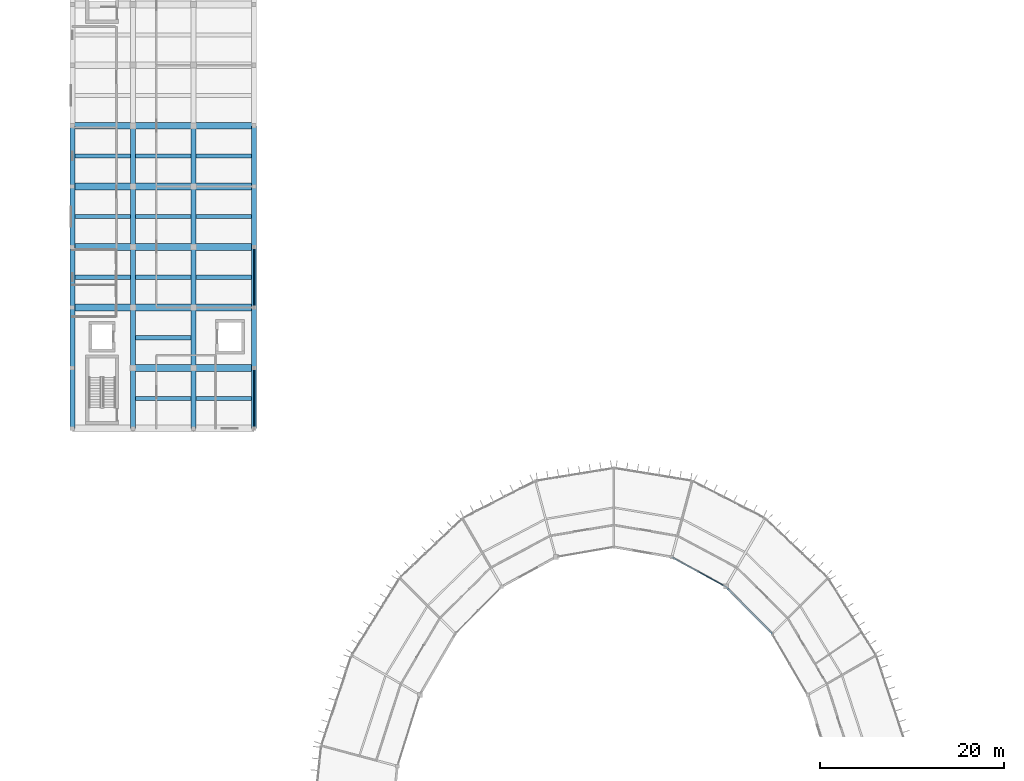
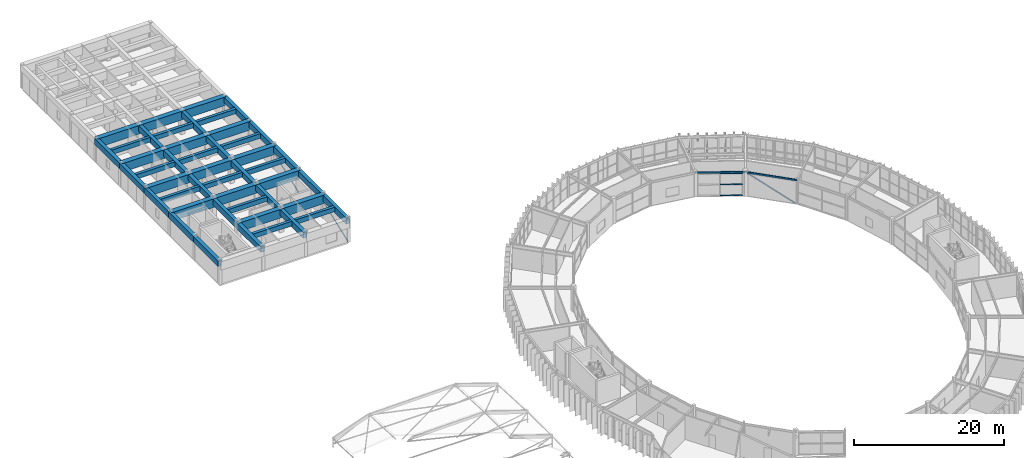
# One storey, part 74 of 134: 48 beams, 6 members, 1 element without a shape of its own.
"""IFC4 building model written with IfcOpenShell, lengths in metres."""

import ifcopenshell
import ifcopenshell.guid

model = None  # the IFC model being written
_history = None  # IfcOwnerHistory: only IFC2X3 demands one
_inside = {}  # id of a spatial element -> (the spatial element, [elements in it])
_under = {}  # id of a project, library or spatial element -> (it, [spatial elements below it])
_declared = {}  # id of a project -> (the project, [libraries it declares])
_typed = {}  # id of a type object -> (the type object, [elements of that type])
_made_of = {}  # id of a material, layer set ... -> (it, [elements and type objects made of it])


def new_model(schema):
    """Start an empty IFC model of exactly this schema.

    Asked for "IFC4X3", IfcOpenShell would pick the latest addendum, in which some entities
    have other attributes; the version numbers below select the first issue.
    IFC2X3 requires an IfcOwnerHistory on every rooted entity: one is made here for all.
    """
    global model, _history
    if schema == "IFC4X3":
        model = ifcopenshell.file(schema_version=(4, 3, 0, 0))
    else:
        model = ifcopenshell.file(schema=schema)
    _inside.clear()
    _under.clear()
    _declared.clear()
    _typed.clear()
    _made_of.clear()
    _history = None
    if model.schema == "IFC2X3":
        org = make("IfcOrganization", Name="unknown")
        user = make(
            "IfcPersonAndOrganization",
            ThePerson=make("IfcPerson", FamilyName="unknown"),
            TheOrganization=org,
        )
        app = make(
            "IfcApplication",
            ApplicationDeveloper=org,
            Version="unknown",
            ApplicationFullName="unknown",
            ApplicationIdentifier="unknown",
        )
        _history = make(
            "IfcOwnerHistory",
            OwningUser=user,
            OwningApplication=app,
            ChangeAction="ADDED",
            CreationDate=0,
        )
    return model


def make(cls, **values):
    """One entity of the class cls with the attributes given. An attribute that is None is left unset."""
    return model.create_entity(
        cls, **{name: value for name, value in values.items() if value is not None}
    )


def rooted(cls, **values):
    """An entity with a GlobalId (a new one), such as an element, a storey or a relation."""
    return make(cls, GlobalId=ifcopenshell.guid.new(), OwnerHistory=_history, **values)


def si_unit(unit_type, name, prefix=None):
    """IfcSIUnit, for example si_unit("LENGTHUNIT", "METRE", prefix="MILLI")."""
    return make("IfcSIUnit", UnitType=unit_type, Prefix=prefix, Name=name)


def assignment(units):
    """IfcUnitAssignment: the units of a project."""
    return None if units is None else make("IfcUnitAssignment", Units=units)


def point(xyz):
    """IfcCartesianPoint."""
    return None if xyz is None else make("IfcCartesianPoint", Coordinates=xyz)


def direction(xyz):
    """IfcDirection."""
    return None if xyz is None else make("IfcDirection", DirectionRatios=xyz)


def frame(location, z_axis=None, x_axis=None):
    """IfcAxis2Placement3D, a coordinate frame: its origin and axes. An axis left out is left unset."""
    return make(
        "IfcAxis2Placement3D",
        Location=point(location),
        Axis=direction(z_axis),
        RefDirection=direction(x_axis),
    )


def frame_2d(location, x_axis=None):
    """IfcAxis2Placement2D, a coordinate frame in the plane: its origin and x axis."""
    return make(
        "IfcAxis2Placement2D", Location=point(location), RefDirection=direction(x_axis)
    )


def origin():
    """The frame at (0, 0, 0) with its axes left unset."""
    return frame((0.0, 0.0, 0.0))


def origin_2d():
    """The frame at (0, 0) in the plane with its x axis left unset."""
    return frame_2d((0.0, 0.0))


def place(relative_to, where):
    """IfcLocalPlacement: puts the frame where relative to a parent placement (None: the world)."""
    return make(
        "IfcLocalPlacement", PlacementRelTo=relative_to, RelativePlacement=where
    )


def context(
    kind, dimensions, precision=None, world=None, true_north=None, identifier=None
):
    """IfcGeometricRepresentationContext, for example the 3D "Model" context."""
    return make(
        "IfcGeometricRepresentationContext",
        ContextIdentifier=identifier,
        ContextType=kind,
        CoordinateSpaceDimension=dimensions,
        Precision=precision,
        WorldCoordinateSystem=world,
        TrueNorth=true_north,
    )


def subcontext(parent, identifier, kind, view, scale=None):
    """IfcGeometricRepresentationSubContext, for example "Body" below "Model"."""
    return make(
        "IfcGeometricRepresentationSubContext",
        ContextIdentifier=identifier,
        ContextType=kind,
        ParentContext=parent,
        TargetScale=scale,
        TargetView=view,
    )


def project(units=None, contexts=None):
    """IfcProject with its units and contexts."""
    return rooted(
        "IfcProject",
        Name="project",
        RepresentationContexts=contexts,
        UnitsInContext=assignment(units),
    )


def spatial(cls, under=None, at=None, **own):
    """A site, building, storey or space (cls), placed at a placement, below another one or the project."""
    s = rooted(cls, ObjectPlacement=at, **own)
    if under is not None:
        _under.setdefault(under.id(), (under, []))[1].append(s)
    return s


def profile(cls, at=None, kind="AREA", **sizes):
    """A parametric profile (cls). Its sizes go by their IFC names, for example OverallWidth=200.0."""
    return make(cls, ProfileType=kind, Position=at, **sizes)


def rectangle(**sizes):
    """IfcRectangleProfileDef."""
    return profile("IfcRectangleProfileDef", **sizes)


def hollow_rectangle(**sizes):
    """IfcRectangleHollowProfileDef."""
    return profile("IfcRectangleHollowProfileDef", **sizes)


def hollow_circle(**sizes):
    """IfcCircleHollowProfileDef."""
    return profile("IfcCircleHollowProfileDef", **sizes)


def extrude(swept, where, along, depth):
    """IfcExtrudedAreaSolid: the profile swept, set in the frame where, extruded along a direction by depth."""
    return make(
        "IfcExtrudedAreaSolid",
        SweptArea=swept,
        Position=where,
        ExtrudedDirection=direction(along),
        Depth=depth,
    )


def shape(context_of_items, identifier, shape_type, items):
    """IfcShapeRepresentation: the items that make up one representation, for example the "Body"."""
    return make(
        "IfcShapeRepresentation",
        ContextOfItems=context_of_items,
        RepresentationIdentifier=identifier,
        RepresentationType=shape_type,
        Items=items,
    )


def material(Name=None, Category=None):
    """IfcMaterial."""
    return make("IfcMaterial", Name=Name, Category=Category)


def material_profile(
    of_material, cross_section, Name=None, Category=None, Priority=None
):
    """IfcMaterialProfile: a cross section and its material."""
    return make(
        "IfcMaterialProfile",
        Name=Name,
        Material=of_material,
        Profile=cross_section,
        Priority=Priority,
        Category=Category,
    )


def profile_set(profiles, Name=None, composite=None):
    """IfcMaterialProfileSet."""
    return make(
        "IfcMaterialProfileSet",
        Name=Name,
        MaterialProfiles=profiles,
        CompositeProfile=composite,
    )


def made_of(thing, what):
    """Note that an element or type object is made of a material, layer set ...; save() writes the relation."""
    if what is not None:
        _made_of.setdefault(what.id(), (what, []))[1].append(thing)
    return thing


def type_object(cls, material=None, **own):
    """A type object (cls), such as IfcWallType, which elements share."""
    return made_of(rooted(cls, **own), material)


def element(
    cls,
    number,
    at=None,
    inside=None,
    cuts=None,
    type_object=None,
    material=None,
    context=None,
    identifier="Body",
    shape_type=None,
    held_by="IfcProductDefinitionShape",
    body=None,
    shapes=None,
    **own,
):
    """One element of the class cls, such as IfcWall. Its Tag is "e" and its number.

    at: its placement. inside: the storey or other place that contains it. cuts: it is an
    opening in that element (IfcRelVoidsElement). A single representation is given by context,
    identifier, shape_type and body (its items); several are given by shapes. held_by: the class
    of the entity that holds the representations. save() writes the other relations.
    """
    e = rooted(cls, Tag="e%d" % number, ObjectPlacement=at, **own)
    if body is not None:
        shapes = [shape(context, identifier, shape_type, body)]
    if shapes is not None:
        e.Representation = make(held_by, Representations=shapes)
    if inside is not None:
        _inside.setdefault(inside.id(), (inside, []))[1].append(e)
    if cuts is not None:
        rooted(
            "IfcRelVoidsElement", RelatingBuildingElement=cuts, RelatedOpeningElement=e
        )
    if type_object is not None:
        _typed.setdefault(type_object.id(), (type_object, []))[1].append(e)
    return made_of(e, material)


def aggregate(whole, parts):
    """IfcRelAggregates: a whole, such as a stair, and the parts it consists of."""
    return rooted("IfcRelAggregates", RelatingObject=whole, RelatedObjects=parts)


def save(model, path):
    """Write the relations noted so far, then the file.

    IfcRelAggregates (storeys below a building ...), IfcRelContainedInSpatialStructure (elements
    in a storey), IfcRelDefinesByType, IfcRelAssociatesMaterial and IfcRelDeclares: one each for
    every whole, place, type object, material and project.
    """
    for whole, parts in _under.values():
        aggregate(whole, parts)
    for where, things in _inside.values():
        rooted(
            "IfcRelContainedInSpatialStructure",
            RelatedElements=things,
            RelatingStructure=where,
        )
    for kind, things in _typed.values():
        rooted("IfcRelDefinesByType", RelatedObjects=things, RelatingType=kind)
    for what, things in _made_of.values():
        rooted("IfcRelAssociatesMaterial", RelatedObjects=things, RelatingMaterial=what)
    for by, libraries in _declared.values():
        rooted("IfcRelDeclares", RelatingContext=by, RelatedDefinitions=libraries)
    model.write(path)


model = new_model("IFC4")

# Units and contexts
model_context = context("Model", 3, precision=1e-05, world=origin(), true_north=direction((0.0, 1.0)))
body_context = subcontext(model_context, "Body", "Model", "MODEL_VIEW")
ifc_project = project(units=[si_unit("LENGTHUNIT", "METRE"), si_unit("AREAUNIT", "SQUARE_METRE"), si_unit("VOLUMEUNIT", "CUBIC_METRE"), si_unit("PLANEANGLEUNIT", "RADIAN"), si_unit("MASSUNIT", "GRAM", prefix="KILO")], contexts=[model_context])

# Site, building, storey
site_placement = place(None, origin())
site = spatial("IfcSite", under=ifc_project, at=site_placement, CompositionType="ELEMENT")
building_placement = place(site_placement, origin())
building = spatial("IfcBuilding", under=site, at=building_placement, Name="Karori Crest Natural Sciences Institute", CompositionType="ELEMENT")
storey_placement = place(building_placement, frame((0.0, 0.0, 21.699951171875)))
storey = spatial("IfcBuildingStorey", under=building, at=storey_placement, Name="L05", CompositionType="ELEMENT", Elevation=21.699951171875)

# Beams
ifc_material_1 = material(Name="Hollow structural steel AS/NZS 1163 Grade C350", Category="steel")
ifc_material_profile_1 = material_profile(ifc_material_1, hollow_rectangle(XDim=0.14990234375, YDim=0.25, WallThickness=0.009033203125, at=origin_2d()), Name="RHS250x150x9")
ifc_profile_set_1 = profile_set([ifc_material_profile_1], Name="Hollow structural steel AS/NZS 1163 Grade C350")
beam_type_1 = type_object("IfcBeamType", Name="BT-16", PredefinedType="SPANDREL", material=ifc_profile_set_1)
beam_1_placement = place(storey_placement, frame((83.6533203125, 72.668701171875, 3.7900390625), z_axis=(-0.702645672149, 0.711539921164, 0.0), x_axis=(-0.711539921164, -0.702645672149, 0.0)))
element("IfcBeam", 1, at=beam_1_placement, inside=storey, type_object=beam_type_1, Name="Beam B-0552", PredefinedType="SPANDREL", context=body_context, shape_type="SweptSolid", body=[
    extrude(hollow_rectangle(XDim=0.14990234375, YDim=0.25, WallThickness=0.009033203125, at=origin_2d()), origin(), (0.0, 0.0, 1.0), 7.191650390625),
])
beam_2_placement = place(storey_placement, frame((78.60009765625, 77.785888671875, 3.7900390625), z_axis=(-0.877469531616, 0.47963238119, 0.0), x_axis=(-0.47963238119, -0.877469531616, 0.0)))
element("IfcBeam", 2, at=beam_2_placement, inside=storey, type_object=beam_type_1, Name="Beam B-0556", PredefinedType="SPANDREL", context=body_context, shape_type="SweptSolid", body=[
    extrude(hollow_rectangle(XDim=0.14990234375, YDim=0.25, WallThickness=0.009033203125, at=origin_2d()), origin(), (0.0, 0.0, 1.0), 6.706787109375),
])
ifc_material_2 = material(Name="Concrete 50 MPa", Category="concrete")
ifc_material_profile_2 = material_profile(ifc_material_2, rectangle(XDim=0.75, YDim=1.39990234375, at=origin_2d()), Name="RCB750x1400")
ifc_profile_set_2 = profile_set([ifc_material_profile_2], Name="Concrete 50 MPa")
beam_type_2 = type_object("IfcBeamType", Name="BT-17-IL", PredefinedType="BEAM", material=ifc_profile_set_2)
beam_3_placement = place(storey_placement, frame((14.0, 101.60009765625, 3.150146484375), z_axis=(1.0, 0.0, 0.0), x_axis=(0.0, 1.0, 0.0)))
element("IfcBeam", 3, at=beam_3_placement, inside=storey, type_object=beam_type_2, Name="Beam B-1825", PredefinedType="BEAM", context=body_context, shape_type="SweptSolid", body=[
    extrude(rectangle(XDim=0.75, YDim=1.39990234375, at=origin_2d()), origin(), (0.0, 0.0, 1.0), 6.60009765625),
])
beam_4_placement = place(storey_placement, frame((20.60009765625, 101.60009765625, 3.150146484375), z_axis=(1.0, 0.0, 0.0), x_axis=(0.0, 1.0, 0.0)))
element("IfcBeam", 4, at=beam_4_placement, inside=storey, type_object=beam_type_2, Name="Beam B-1826", PredefinedType="BEAM", context=body_context, shape_type="SweptSolid", body=[
    extrude(rectangle(XDim=0.75, YDim=1.39990234375, at=origin_2d()), origin(), (0.0, 0.0, 1.0), 6.599853515625),
])
for number, where, z_axis, x_axis, name in (
    (5, (7.39990234375, 108.199951171875, 3.150146484375), (1.0, 0.0, 0.0), (0.0, 1.0, 0.0), "Beam B-1827"),
    (6, (14.0, 108.199951171875, 3.150146484375), (1.0, 0.0, 0.0), (0.0, 1.0, 0.0), "Beam B-1828"),
):
    element("IfcBeam", number, at=place(storey_placement, frame(where, z_axis=z_axis, x_axis=x_axis)), inside=storey, type_object=beam_type_2, Name=name, PredefinedType="BEAM", context=body_context, shape_type="SweptSolid", body=[
        extrude(rectangle(XDim=0.75, YDim=1.39990234375, at=origin_2d()), origin(), (0.0, 0.0, 1.0), 6.60009765625),
    ])
beam_5_placement = place(storey_placement, frame((20.60009765625, 108.199951171875, 3.150146484375), z_axis=(1.0, 0.0, 0.0), x_axis=(0.0, 1.0, 0.0)))
element("IfcBeam", 7, at=beam_5_placement, inside=storey, type_object=beam_type_2, Name="Beam B-1829", PredefinedType="BEAM", context=body_context, shape_type="SweptSolid", body=[
    extrude(rectangle(XDim=0.75, YDim=1.39990234375, at=origin_2d()), origin(), (0.0, 0.0, 1.0), 6.599853515625),
])
for number, where, z_axis, x_axis, name in (
    (8, (7.39990234375, 114.800048828125, 3.150146484375), (1.0, 0.0, 0.0), (0.0, 1.0, 0.0), "Beam B-1830"),
    (9, (14.0, 114.800048828125, 3.150146484375), (1.0, 0.0, 0.0), (0.0, 1.0, 0.0), "Beam B-1831"),
):
    element("IfcBeam", number, at=place(storey_placement, frame(where, z_axis=z_axis, x_axis=x_axis)), inside=storey, type_object=beam_type_2, Name=name, PredefinedType="BEAM", context=body_context, shape_type="SweptSolid", body=[
        extrude(rectangle(XDim=0.75, YDim=1.39990234375, at=origin_2d()), origin(), (0.0, 0.0, 1.0), 6.60009765625),
    ])
beam_6_placement = place(storey_placement, frame((20.60009765625, 114.800048828125, 3.150146484375), z_axis=(1.0, 0.0, 0.0), x_axis=(0.0, 1.0, 0.0)))
element("IfcBeam", 10, at=beam_6_placement, inside=storey, type_object=beam_type_2, Name="Beam B-1832", PredefinedType="BEAM", context=body_context, shape_type="SweptSolid", body=[
    extrude(rectangle(XDim=0.75, YDim=1.39990234375, at=origin_2d()), origin(), (0.0, 0.0, 1.0), 6.599853515625),
])
for number, where, z_axis, x_axis, name in (
    (11, (7.39990234375, 121.39990234375, 3.150146484375), (1.0, 0.0, 0.0), (0.0, 1.0, 0.0), "Beam B-1833"),
    (12, (14.0, 121.39990234375, 3.150146484375), (1.0, 0.0, 0.0), (0.0, 1.0, 0.0), "Beam B-1834"),
):
    element("IfcBeam", number, at=place(storey_placement, frame(where, z_axis=z_axis, x_axis=x_axis)), inside=storey, type_object=beam_type_2, Name=name, PredefinedType="BEAM", context=body_context, shape_type="SweptSolid", body=[
        extrude(rectangle(XDim=0.75, YDim=1.39990234375, at=origin_2d()), origin(), (0.0, 0.0, 1.0), 6.60009765625),
    ])
beam_7_placement = place(storey_placement, frame((20.60009765625, 121.39990234375, 3.150146484375), z_axis=(1.0, 0.0, 0.0), x_axis=(0.0, 1.0, 0.0)))
element("IfcBeam", 13, at=beam_7_placement, inside=storey, type_object=beam_type_2, Name="Beam B-1835", PredefinedType="BEAM", context=body_context, shape_type="SweptSolid", body=[
    extrude(rectangle(XDim=0.75, YDim=1.39990234375, at=origin_2d()), origin(), (0.0, 0.0, 1.0), 6.599853515625),
])
for number, where, z_axis, x_axis, name in (
    (14, (7.39990234375, 128.0, 3.150146484375), (1.0, 0.0, 0.0), (0.0, 1.0, 0.0), "Beam B-1836"),
    (15, (14.0, 128.0, 3.150146484375), (1.0, 0.0, 0.0), (0.0, 1.0, 0.0), "Beam B-1837"),
):
    element("IfcBeam", number, at=place(storey_placement, frame(where, z_axis=z_axis, x_axis=x_axis)), inside=storey, type_object=beam_type_2, Name=name, PredefinedType="BEAM", context=body_context, shape_type="SweptSolid", body=[
        extrude(rectangle(XDim=0.75, YDim=1.39990234375, at=origin_2d()), origin(), (0.0, 0.0, 1.0), 6.60009765625),
    ])
beam_8_placement = place(storey_placement, frame((20.60009765625, 128.0, 3.150146484375), z_axis=(1.0, 0.0, 0.0), x_axis=(0.0, 1.0, 0.0)))
element("IfcBeam", 16, at=beam_8_placement, inside=storey, type_object=beam_type_2, Name="Beam B-1838", PredefinedType="BEAM", context=body_context, shape_type="SweptSolid", body=[
    extrude(rectangle(XDim=0.75, YDim=1.39990234375, at=origin_2d()), origin(), (0.0, 0.0, 1.0), 6.599853515625),
])
ifc_material_profile_3 = material_profile(ifc_material_2, rectangle(XDim=0.550048828125, YDim=0.949951171875, at=origin_2d()), Name="RCB550x950")
ifc_profile_set_3 = profile_set([ifc_material_profile_3], Name="Concrete 50 MPa")
beam_type_3 = type_object("IfcBeamType", Name="BT-34", PredefinedType="BEAM", material=ifc_profile_set_3)
beam_9_placement = place(storey_placement, frame((7.39990234375, 95.0, 3.375), z_axis=(0.0, 1.0, 0.0), x_axis=(-1.0, 0.0, 0.0)))
element("IfcBeam", 17, at=beam_9_placement, inside=storey, type_object=beam_type_3, Name="Beam B-1848", PredefinedType="BEAM", context=body_context, shape_type="SweptSolid", body=[
    extrude(rectangle(XDim=0.550048828125, YDim=0.949951171875, at=origin_2d()), origin(), (0.0, 0.0, 1.0), 6.60009765625),
])
beam_10_placement = place(storey_placement, frame((7.39990234375, 101.60009765625, 3.375), z_axis=(0.0, 1.0, 0.0), x_axis=(-1.0, 0.0, 0.0)))
element("IfcBeam", 18, at=beam_10_placement, inside=storey, type_object=beam_type_3, Name="Beam B-1849", PredefinedType="BEAM", context=body_context, shape_type="SweptSolid", body=[
    extrude(rectangle(XDim=0.550048828125, YDim=0.949951171875, at=origin_2d()), origin(), (0.0, 0.0, 1.0), 6.599853515625),
])
beam_11_placement = place(storey_placement, frame((7.39990234375, 108.199951171875, 3.375), z_axis=(0.0, 1.0, 0.0), x_axis=(-1.0, 0.0, 0.0)))
element("IfcBeam", 19, at=beam_11_placement, inside=storey, type_object=beam_type_3, Name="Beam B-1850", PredefinedType="BEAM", context=body_context, shape_type="SweptSolid", body=[
    extrude(rectangle(XDim=0.550048828125, YDim=0.949951171875, at=origin_2d()), origin(), (0.0, 0.0, 1.0), 6.60009765625),
])
beam_12_placement = place(storey_placement, frame((7.39990234375, 114.800048828125, 3.375), z_axis=(0.0, 1.0, 0.0), x_axis=(-1.0, 0.0, 0.0)))
element("IfcBeam", 20, at=beam_12_placement, inside=storey, type_object=beam_type_3, Name="Beam B-1851", PredefinedType="BEAM", context=body_context, shape_type="SweptSolid", body=[
    extrude(rectangle(XDim=0.550048828125, YDim=0.949951171875, at=origin_2d()), origin(), (0.0, 0.0, 1.0), 6.599853515625),
])
for number, where, z_axis, x_axis, name in (
    (21, (7.39990234375, 121.39990234375, 3.375), (0.0, 1.0, 0.0), (-1.0, 0.0, 0.0), "Beam B-1852"),
    (22, (27.199951171875, 95.0, 3.375), (0.0, 1.0, 0.0), (-1.0, 0.0, 0.0), "Beam B-1872"),
):
    element("IfcBeam", number, at=place(storey_placement, frame(where, z_axis=z_axis, x_axis=x_axis)), inside=storey, type_object=beam_type_3, Name=name, PredefinedType="BEAM", context=body_context, shape_type="SweptSolid", body=[
        extrude(rectangle(XDim=0.550048828125, YDim=0.949951171875, at=origin_2d()), origin(), (0.0, 0.0, 1.0), 6.60009765625),
    ])
beam_13_placement = place(storey_placement, frame((27.199951171875, 101.60009765625, 3.375), z_axis=(0.0, 1.0, 0.0), x_axis=(-1.0, 0.0, 0.0)))
element("IfcBeam", 23, at=beam_13_placement, inside=storey, type_object=beam_type_3, Name="Beam B-1873", PredefinedType="BEAM", context=body_context, shape_type="SweptSolid", body=[
    extrude(rectangle(XDim=0.550048828125, YDim=0.949951171875, at=origin_2d()), origin(), (0.0, 0.0, 1.0), 6.599853515625),
])
beam_14_placement = place(storey_placement, frame((27.199951171875, 108.199951171875, 3.375), z_axis=(0.0, 1.0, 0.0), x_axis=(-1.0, 0.0, 0.0)))
element("IfcBeam", 24, at=beam_14_placement, inside=storey, type_object=beam_type_3, Name="Beam B-1874", PredefinedType="BEAM", context=body_context, shape_type="SweptSolid", body=[
    extrude(rectangle(XDim=0.550048828125, YDim=0.949951171875, at=origin_2d()), origin(), (0.0, 0.0, 1.0), 6.60009765625),
])
beam_15_placement = place(storey_placement, frame((27.199951171875, 114.800048828125, 3.375), z_axis=(0.0, 1.0, 0.0), x_axis=(-1.0, 0.0, 0.0)))
element("IfcBeam", 25, at=beam_15_placement, inside=storey, type_object=beam_type_3, Name="Beam B-1875", PredefinedType="BEAM", context=body_context, shape_type="SweptSolid", body=[
    extrude(rectangle(XDim=0.550048828125, YDim=0.949951171875, at=origin_2d()), origin(), (0.0, 0.0, 1.0), 6.599853515625),
])
beam_16_placement = place(storey_placement, frame((27.199951171875, 121.39990234375, 3.375), z_axis=(0.0, 1.0, 0.0), x_axis=(-1.0, 0.0, 0.0)))
element("IfcBeam", 26, at=beam_16_placement, inside=storey, type_object=beam_type_3, Name="Beam B-1876", PredefinedType="BEAM", context=body_context, shape_type="SweptSolid", body=[
    extrude(rectangle(XDim=0.550048828125, YDim=0.949951171875, at=origin_2d()), origin(), (0.0, 0.0, 1.0), 6.60009765625),
])
ifc_material_profile_4 = material_profile(ifc_material_2, rectangle(XDim=0.550048828125, YDim=0.949951171875, at=origin_2d()), Name="RCB550x950")
ifc_profile_set_4 = profile_set([ifc_material_profile_4], Name="Concrete 50 MPa")
beam_type_4 = type_object("IfcBeamType", Name="BT-34-IL", PredefinedType="BEAM", material=ifc_profile_set_4)
beam_17_placement = place(storey_placement, frame((14.0, 95.0, 3.375), z_axis=(0.0, 1.0, 0.0), x_axis=(-1.0, 0.0, 0.0)))
element("IfcBeam", 27, at=beam_17_placement, inside=storey, type_object=beam_type_4, Name="Beam B-1856", PredefinedType="BEAM", context=body_context, shape_type="SweptSolid", body=[
    extrude(rectangle(XDim=0.550048828125, YDim=0.949951171875, at=origin_2d()), origin(), (0.0, 0.0, 1.0), 6.60009765625),
])
beam_18_placement = place(storey_placement, frame((14.0, 101.60009765625, 3.375), z_axis=(0.0, 1.0, 0.0), x_axis=(-1.0, 0.0, 0.0)))
element("IfcBeam", 28, at=beam_18_placement, inside=storey, type_object=beam_type_4, Name="Beam B-1857", PredefinedType="BEAM", context=body_context, shape_type="SweptSolid", body=[
    extrude(rectangle(XDim=0.550048828125, YDim=0.949951171875, at=origin_2d()), origin(), (0.0, 0.0, 1.0), 6.599853515625),
])
beam_19_placement = place(storey_placement, frame((14.0, 108.199951171875, 3.375), z_axis=(0.0, 1.0, 0.0), x_axis=(-1.0, 0.0, 0.0)))
element("IfcBeam", 29, at=beam_19_placement, inside=storey, type_object=beam_type_4, Name="Beam B-1858", PredefinedType="BEAM", context=body_context, shape_type="SweptSolid", body=[
    extrude(rectangle(XDim=0.550048828125, YDim=0.949951171875, at=origin_2d()), origin(), (0.0, 0.0, 1.0), 6.60009765625),
])
beam_20_placement = place(storey_placement, frame((14.0, 114.800048828125, 3.375), z_axis=(0.0, 1.0, 0.0), x_axis=(-1.0, 0.0, 0.0)))
element("IfcBeam", 30, at=beam_20_placement, inside=storey, type_object=beam_type_4, Name="Beam B-1859", PredefinedType="BEAM", context=body_context, shape_type="SweptSolid", body=[
    extrude(rectangle(XDim=0.550048828125, YDim=0.949951171875, at=origin_2d()), origin(), (0.0, 0.0, 1.0), 6.599853515625),
])
for number, where, z_axis, x_axis, name in (
    (31, (14.0, 121.39990234375, 3.375), (0.0, 1.0, 0.0), (-1.0, 0.0, 0.0), "Beam B-1860"),
    (32, (20.60009765625, 95.0, 3.375), (0.0, 1.0, 0.0), (-1.0, 0.0, 0.0), "Beam B-1864"),
):
    element("IfcBeam", number, at=place(storey_placement, frame(where, z_axis=z_axis, x_axis=x_axis)), inside=storey, type_object=beam_type_4, Name=name, PredefinedType="BEAM", context=body_context, shape_type="SweptSolid", body=[
        extrude(rectangle(XDim=0.550048828125, YDim=0.949951171875, at=origin_2d()), origin(), (0.0, 0.0, 1.0), 6.60009765625),
    ])
beam_21_placement = place(storey_placement, frame((20.60009765625, 101.60009765625, 3.375), z_axis=(0.0, 1.0, 0.0), x_axis=(-1.0, 0.0, 0.0)))
element("IfcBeam", 33, at=beam_21_placement, inside=storey, type_object=beam_type_4, Name="Beam B-1865", PredefinedType="BEAM", context=body_context, shape_type="SweptSolid", body=[
    extrude(rectangle(XDim=0.550048828125, YDim=0.949951171875, at=origin_2d()), origin(), (0.0, 0.0, 1.0), 6.599853515625),
])
beam_22_placement = place(storey_placement, frame((20.60009765625, 108.199951171875, 3.375), z_axis=(0.0, 1.0, 0.0), x_axis=(-1.0, 0.0, 0.0)))
element("IfcBeam", 34, at=beam_22_placement, inside=storey, type_object=beam_type_4, Name="Beam B-1866", PredefinedType="BEAM", context=body_context, shape_type="SweptSolid", body=[
    extrude(rectangle(XDim=0.550048828125, YDim=0.949951171875, at=origin_2d()), origin(), (0.0, 0.0, 1.0), 6.60009765625),
])
beam_23_placement = place(storey_placement, frame((20.60009765625, 114.800048828125, 3.375), z_axis=(0.0, 1.0, 0.0), x_axis=(-1.0, 0.0, 0.0)))
element("IfcBeam", 35, at=beam_23_placement, inside=storey, type_object=beam_type_4, Name="Beam B-1867", PredefinedType="BEAM", context=body_context, shape_type="SweptSolid", body=[
    extrude(rectangle(XDim=0.550048828125, YDim=0.949951171875, at=origin_2d()), origin(), (0.0, 0.0, 1.0), 6.599853515625),
])
beam_24_placement = place(storey_placement, frame((20.60009765625, 121.39990234375, 3.375), z_axis=(0.0, 1.0, 0.0), x_axis=(-1.0, 0.0, 0.0)))
element("IfcBeam", 36, at=beam_24_placement, inside=storey, type_object=beam_type_4, Name="Beam B-1868", PredefinedType="BEAM", context=body_context, shape_type="SweptSolid", body=[
    extrude(rectangle(XDim=0.550048828125, YDim=0.949951171875, at=origin_2d()), origin(), (0.0, 0.0, 1.0), 6.60009765625),
])
ifc_material_profile_5 = material_profile(ifc_material_2, rectangle(XDim=0.449951171875, YDim=0.75, at=origin_2d()), Name="RCB450x750")
ifc_profile_set_5 = profile_set([ifc_material_profile_5], Name="Concrete 50 MPa")
beam_type_5 = type_object("IfcBeamType", Name="BT-35", PredefinedType="BEAM", material=ifc_profile_set_5)
for number, where, z_axis, x_axis, name in (
    (37, (7.675048828125, 111.5, 3.47509765625), (1.0, 0.0, 0.0), (0.0, 1.0, 0.0), "Beam B-1880"),
    (38, (7.675048828125, 118.10009765625, 3.47509765625), (1.0, 0.0, 0.0), (0.0, 1.0, 0.0), "Beam B-1881"),
    (39, (7.675048828125, 124.699951171875, 3.47509765625), (1.0, 0.0, 0.0), (0.0, 1.0, 0.0), "Beam B-1882"),
    (40, (14.27490234375, 98.300048828125, 3.47509765625), (1.0, 0.0, 0.0), (0.0, 1.0, 0.0), "Beam B-1886"),
    (41, (14.27490234375, 104.89990234375, 3.47509765625), (1.0, 0.0, 0.0), (0.0, 1.0, 0.0), "Beam B-1887"),
    (42, (14.27490234375, 111.5, 3.47509765625), (1.0, 0.0, 0.0), (0.0, 1.0, 0.0), "Beam B-1888"),
    (43, (14.27490234375, 118.10009765625, 3.47509765625), (1.0, 0.0, 0.0), (0.0, 1.0, 0.0), "Beam B-1889"),
    (44, (14.27490234375, 124.699951171875, 3.47509765625), (1.0, 0.0, 0.0), (0.0, 1.0, 0.0), "Beam B-1890"),
    (45, (20.875, 98.300048828125, 3.47509765625), (1.0, 0.0, 0.0), (0.0, 1.0, 0.0), "Beam B-1894"),
    (46, (20.875, 111.5, 3.47509765625), (1.0, 0.0, 0.0), (0.0, 1.0, 0.0), "Beam B-1895"),
    (47, (20.875, 118.10009765625, 3.47509765625), (1.0, 0.0, 0.0), (0.0, 1.0, 0.0), "Beam B-1896"),
    (48, (20.875, 124.699951171875, 3.47509765625), (1.0, 0.0, 0.0), (0.0, 1.0, 0.0), "Beam B-1897"),
):
    element("IfcBeam", number, at=place(storey_placement, frame(where, z_axis=z_axis, x_axis=x_axis)), inside=storey, type_object=beam_type_5, Name=name, PredefinedType="BEAM", context=body_context, shape_type="SweptSolid", body=[
        extrude(rectangle(XDim=0.449951171875, YDim=0.75, at=origin_2d()), origin(), (0.0, 0.0, 1.0), 6.050048828125),
    ])

# Curtain wall, members
ifc_material_3 = material(Name="Anodised architectural aluminium 6063-T6", Category="aluminium")
curtain_wall_type = type_object("IfcCurtainWallType", Name="CWT-15", PredefinedType="NOTDEFINED", material=ifc_material_3)
curtain_wall_placement = place(storey_placement, origin())
curtain_wall = element("IfcCurtainWall", 49, at=curtain_wall_placement, inside=storey, type_object=curtain_wall_type, Name="Curtain wall CW-0179", PredefinedType="NOTDEFINED")
ifc_material_profile_6 = material_profile(ifc_material_3, hollow_rectangle(XDim=0.06005859375, YDim=0.1201171875, WallThickness=0.00390625, at=origin_2d()), Name="CWT120x60x4")
ifc_profile_set_6 = profile_set([ifc_material_profile_6], Name="Anodised architectural aluminium 6063-T6")
member_type_1 = type_object("IfcMemberType", Name="CWT-TR1", PredefinedType="USERDEFINED", material=ifc_profile_set_6)
member_1_placement = place(storey_placement, frame((78.269775390625, 77.966552734375, 0.030029296875), z_axis=(-0.877448541585, 0.479670779672, 0.0), x_axis=(-0.479670779672, -0.877448541585, 0.0)))
member_1 = element("IfcMember", 50, at=member_1_placement, type_object=member_type_1, Name="CW-0179 transom 1.1", ObjectType="TRANSOM", PredefinedType="USERDEFINED", context=body_context, shape_type="SweptSolid", body=[
    extrude(hollow_rectangle(XDim=0.06005859375, YDim=0.1201171875, WallThickness=0.00390625, at=origin_2d()), origin(), (0.0, 0.0, 1.0), 2.987060546875),
])
member_2_placement = place(storey_placement, frame((78.269775390625, 77.966552734375, 1.824951171875), z_axis=(-0.877448541585, 0.479670779672, 0.0), x_axis=(-0.479670779672, -0.877448541585, 0.0)))
member_2 = element("IfcMember", 51, at=member_2_placement, type_object=member_type_1, Name="CW-0179 transom 1.2", ObjectType="TRANSOM", PredefinedType="USERDEFINED", context=body_context, shape_type="SweptSolid", body=[
    extrude(hollow_rectangle(XDim=0.06005859375, YDim=0.1201171875, WallThickness=0.00390625, at=origin_2d()), origin(), (0.0, 0.0, 1.0), 2.987060546875),
])
member_3_placement = place(storey_placement, frame((78.269775390625, 77.966552734375, 3.6201171875), z_axis=(-0.877448541585, 0.479670779672, 0.0), x_axis=(-0.479670779672, -0.877448541585, 0.0)))
member_3 = element("IfcMember", 52, at=member_3_placement, type_object=member_type_1, Name="CW-0179 transom 1.3", ObjectType="TRANSOM", PredefinedType="USERDEFINED", context=body_context, shape_type="SweptSolid", body=[
    extrude(hollow_rectangle(XDim=0.06005859375, YDim=0.1201171875, WallThickness=0.00390625, at=origin_2d()), origin(), (0.0, 0.0, 1.0), 2.987060546875),
])
aggregate(curtain_wall, [member_1, member_2, member_3])

# Members
ifc_material_profile_7 = material_profile(ifc_material_1, hollow_circle(Radius=0.109619140625, WallThickness=0.00830078125, at=origin_2d()), Name="CHS219.1x8.2")
ifc_profile_set_7 = profile_set([ifc_material_profile_7], Name="Hollow structural steel AS/NZS 1163 Grade C350")
member_type_2 = type_object("IfcMemberType", Name="MT-02", PredefinedType="BRACE", material=ifc_profile_set_7)
member_4_placement = place(storey_placement, frame((83.442626953125, 72.88232421875, 0.010009765625), z_axis=(-0.615109843924, 0.62285869764, 0.483411752736), x_axis=(-0.711518857686, -0.702667001614, 0.0)))
element("IfcMember", 53, at=member_4_placement, inside=storey, type_object=member_type_2, Name="Diagonal Brace M-0025", PredefinedType="BRACE", context=body_context, shape_type="SweptSolid", body=[
    extrude(hollow_circle(Radius=0.109619140625, WallThickness=0.00830078125, at=origin_2d()), origin(), (0.0, 0.0, 1.0), 7.530029296875),
])
ifc_material_profile_8 = material_profile(ifc_material_1, hollow_circle(Radius=0.084228515625, WallThickness=0.007080078125, at=origin_2d()), Name="CHS168.3x7.1")
ifc_profile_set_8 = profile_set([ifc_material_profile_8], Name="Hollow structural steel AS/NZS 1163 Grade C350")
member_type_3 = type_object("IfcMemberType", Name="MT-03", PredefinedType="BRACE", material=ifc_profile_set_8)
for number, where, z_axis, x_axis, name in (
    (54, (27.199951171875, 95.0, 0.010009765625), (0.0, 0.937495430674, 0.347997582556), (-1.0, 0.0, 0.0), "Diagonal Brace M-0504"),
    (55, (27.199951171875, 108.199951171875, 0.010009765625), (0.0, 0.937495430674, 0.347997582556), (-1.0, 0.0, 0.0), "Diagonal Brace M-0505"),
):
    element("IfcMember", number, at=place(storey_placement, frame(where, z_axis=z_axis, x_axis=x_axis)), inside=storey, type_object=member_type_3, Name=name, PredefinedType="BRACE", context=body_context, shape_type="SweptSolid", body=[
        extrude(hollow_circle(Radius=0.084228515625, WallThickness=0.007080078125, at=origin_2d()), origin(), (0.0, 0.0, 1.0), 7.0400390625),
    ])

save(model, "model.ifc")
